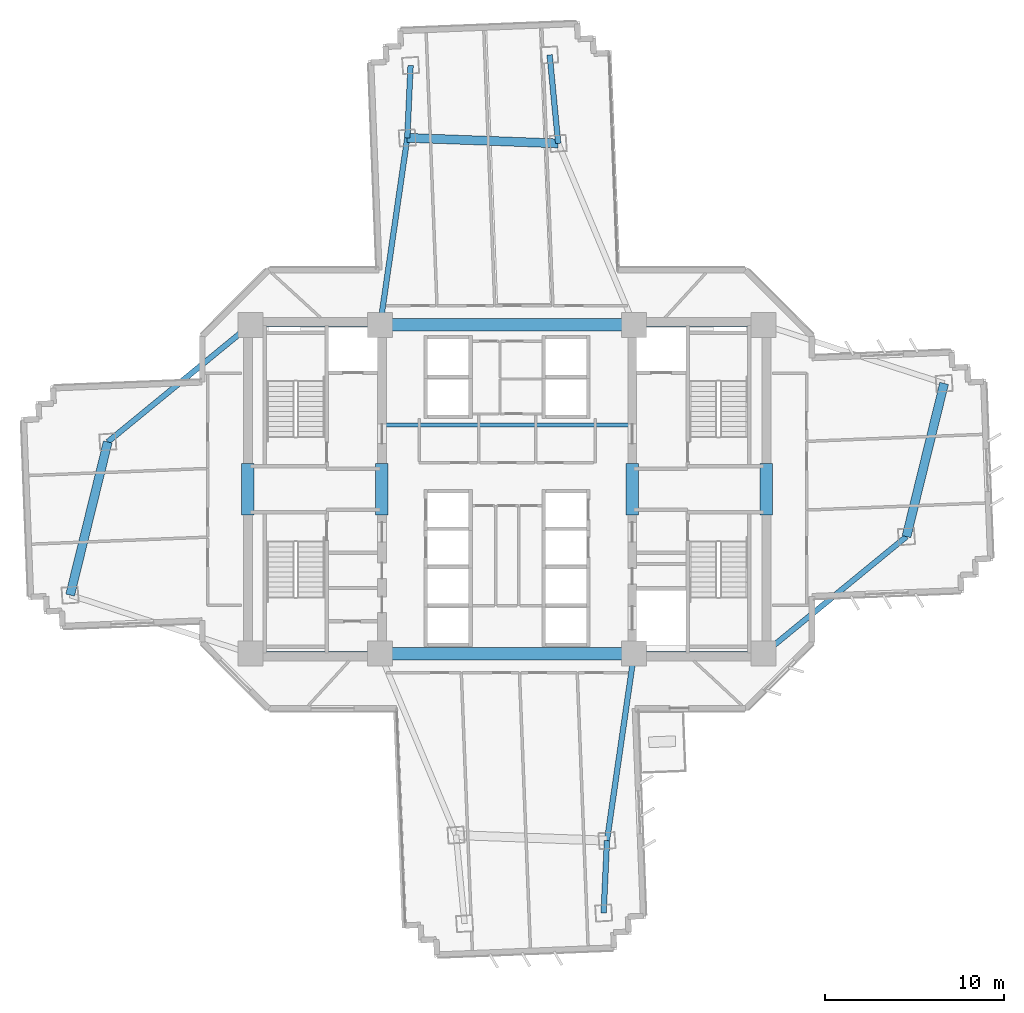
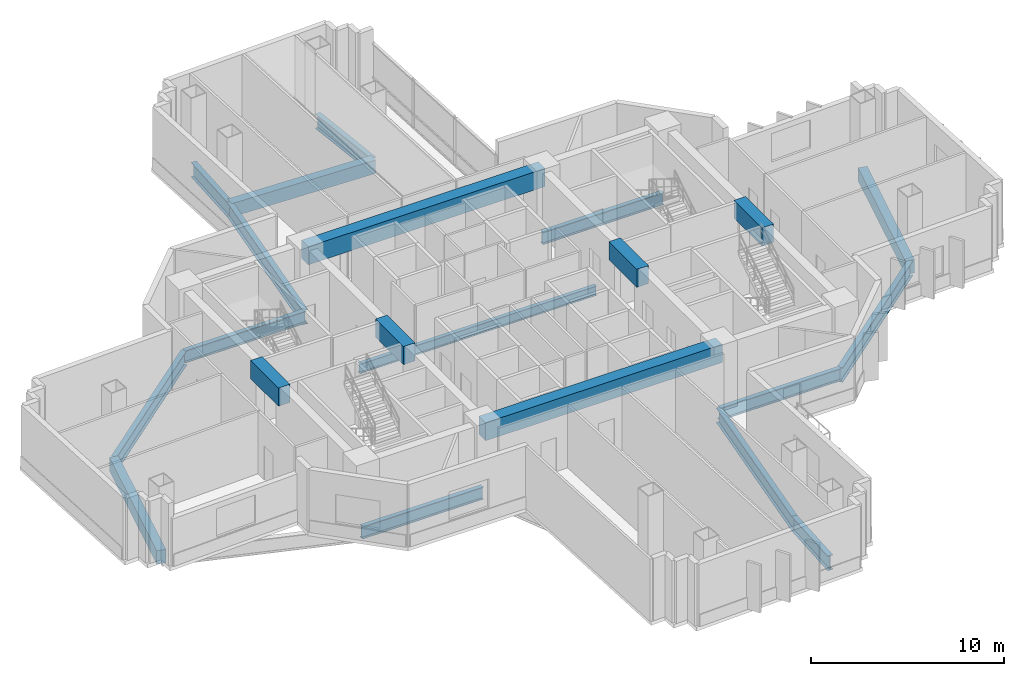
# One storey, part 3 of 16: 21 beams.
"""IFC4 building model written with IfcOpenShell, lengths in metres."""

from ifc_helpers import new_model, si_unit, direction, frame, origin, origin_2d, place, context, subcontext, project, spatial, rectangle, i_section, extrude, source, transform, mapped, material, material_profile, profile_set, type_object, element, save


model = new_model("IFC4")

# Units and contexts
model_context = context("Model", 3, precision=1e-05, world=origin(), true_north=direction((0.0, 1.0)))
body_context = subcontext(model_context, "Body", "Model", "MODEL_VIEW")
ifc_project = project(units=[si_unit("LENGTHUNIT", "METRE"), si_unit("AREAUNIT", "SQUARE_METRE"), si_unit("VOLUMEUNIT", "CUBIC_METRE"), si_unit("PLANEANGLEUNIT", "RADIAN"), si_unit("MASSUNIT", "GRAM", prefix="KILO")], contexts=[model_context])

# Site, building, storey
site_placement = place(None, origin())
site = spatial("IfcSite", under=ifc_project, at=site_placement, CompositionType="ELEMENT")
building_placement = place(site_placement, origin())
building = spatial("IfcBuilding", under=site, at=building_placement, Name="Zahravan Cultural Tower", CompositionType="ELEMENT")
storey_placement = place(building_placement, frame((0.0, 0.0, 58.5)))
storey = spatial("IfcBuildingStorey", under=building, at=storey_placement, Name="L12", CompositionType="ELEMENT", Elevation=58.5)

# Beams
ifc_material_1 = material(Name="Concrete C50/60", Category="concrete")
ifc_material_profile_1 = material_profile(ifc_material_1, rectangle(XDim=0.699951171875, YDim=1.14990234375, at=origin_2d()), Name="RC700X1150")
ifc_profile_set_1 = profile_set([ifc_material_profile_1], Name="Concrete C50/60")
beam_type_1 = type_object("IfcBeamType", Name="BM-LN-RC700X1150", PredefinedType="LINTEL", material=ifc_profile_set_1)
shared_shape_1 = source(origin(), body_context, "Body", "SweptSolid", [
    extrude(rectangle(XDim=0.699951171875, YDim=1.14990234375, at=origin_2d()), origin(), (0.0, 0.0, 1.0), 14.2001953125),
])
for number, where, z_axis, x_axis, name in (
    (1, (28.89990234375, 17.800048828125, 3.375), (1.0, 0.0, 0.0), (0.0, 1.0, 0.0), "L12 Beam LN-L12-S"),
    (2, (28.89990234375, 36.199951171875, 3.375), (1.0, 0.0, 0.0), (0.0, 1.0, 0.0), "L12 Beam LN-L12-N"),
):
    element("IfcBeam", number, at=place(storey_placement, frame(where, z_axis=z_axis, x_axis=x_axis)), inside=storey, type_object=beam_type_1, Name=name, PredefinedType="LINTEL", context=body_context, shape_type="MappedRepresentation", body=[
        mapped(shared_shape_1, transform((0.0, 0.0, 0.0), x_axis=(1.0, 0.0, 0.0), y_axis=(0.0, 1.0, 0.0), z_axis=(0.0, 0.0, 1.0), scale=1.0)),
    ])
shared_shape_2 = source(origin(), body_context, "Body", "SweptSolid", [
    extrude(rectangle(XDim=0.699951171875, YDim=1.14990234375, at=origin_2d()), origin(), (0.0, 0.0, 1.0), 2.89990234375),
])
for number, where, z_axis, x_axis, name in (
    (3, (21.5, 25.550048828125, 3.375), (0.0, 1.0, 0.0), (-1.0, 0.0, 0.0), "L12 Beam LN-L12-PWW"),
    (4, (29.0, 25.550048828125, 3.375), (0.0, 1.0, 0.0), (-1.0, 0.0, 0.0), "L12 Beam LN-L12-PWE"),
    (5, (43.0, 25.550048828125, 3.375), (0.0, 1.0, 0.0), (-1.0, 0.0, 0.0), "L12 Beam LN-L12-PEW"),
    (6, (50.5, 25.550048828125, 3.375), (0.0, 1.0, 0.0), (-1.0, 0.0, 0.0), "L12 Beam LN-L12-PEE"),
):
    element("IfcBeam", number, at=place(storey_placement, frame(where, z_axis=z_axis, x_axis=x_axis)), inside=storey, type_object=beam_type_1, Name=name, PredefinedType="LINTEL", context=body_context, shape_type="MappedRepresentation", body=[
        mapped(shared_shape_2, transform((0.0, 0.0, 0.0), x_axis=(1.0, 0.0, 0.0), y_axis=(0.0, 1.0, 0.0), z_axis=(0.0, 0.0, 1.0), scale=1.0)),
    ])
ifc_material_2 = material(Name="Steel ASTM A992 Grade 50", Category="steel")
ifc_material_profile_2 = material_profile(ifc_material_2, i_section(OverallWidth=0.26611328125, OverallDepth=0.780029296875, WebThickness=0.0166015625, FlangeThickness=0.030029296875, FilletRadius=0.01904296875, at=origin_2d()), Name="W30X148")
ifc_profile_set_2 = profile_set([ifc_material_profile_2], Name="Steel ASTM A992 Grade 50")
beam_type_2 = type_object("IfcBeamType", Name="BM-G-W30X148", PredefinedType="BEAM", material=ifc_profile_set_2)
shared_shape_3 = source(origin(), body_context, "Body", "SweptSolid", [
    extrude(i_section(OverallWidth=0.26611328125, OverallDepth=0.780029296875, WebThickness=0.0166015625, FlangeThickness=0.030029296875, FilletRadius=0.01904296875, at=origin_2d()), origin(), (0.0, 0.0, 1.0), 7.25),
])
for number, where, z_axis, x_axis, name in (
    (7, (21.64990234375, 17.800048828125, -0.639892578125), (1.0, 0.0, 0.0), (0.0, 1.0, 0.0), "L12 Beam BG-L12-01"),
    (8, (21.64990234375, 36.199951171875, -0.639892578125), (1.0, 0.0, 0.0), (0.0, 1.0, 0.0), "L12 Beam BG-L12-02"),
    (9, (43.10009765625, 17.800048828125, -0.639892578125), (1.0, 0.0, 0.0), (0.0, 1.0, 0.0), "L12 Beam BG-L12-04"),
    (10, (43.10009765625, 36.199951171875, -0.639892578125), (1.0, 0.0, 0.0), (0.0, 1.0, 0.0), "L12 Beam BG-L12-05"),
):
    element("IfcBeam", number, at=place(storey_placement, frame(where, z_axis=z_axis, x_axis=x_axis)), inside=storey, type_object=beam_type_2, Name=name, PredefinedType="BEAM", context=body_context, shape_type="MappedRepresentation", body=[
        mapped(shared_shape_3, transform((0.0, 0.0, 0.0), x_axis=(1.0, 0.0, 0.0), y_axis=(0.0, 1.0, 0.0), z_axis=(0.0, 0.0, 1.0), scale=1.0)),
    ])
ifc_material_profile_3 = material_profile(ifc_material_2, i_section(OverallWidth=0.30908203125, OverallDepth=0.931884765625, WebThickness=0.02099609375, FlangeThickness=0.034423828125, FilletRadius=0.02392578125, at=origin_2d()), Name="W36X210")
ifc_profile_set_3 = profile_set([ifc_material_profile_3], Name="Steel ASTM A992 Grade 50")
beam_type_3 = type_object("IfcBeamType", Name="BM-G-W36X210", PredefinedType="BEAM", material=ifc_profile_set_3)
shared_shape_4 = source(origin(), body_context, "Body", "SweptSolid", [
    extrude(i_section(OverallWidth=0.30908203125, OverallDepth=0.931884765625, WebThickness=0.02099609375, FlangeThickness=0.034423828125, FilletRadius=0.02392578125, at=origin_2d()), origin(), (0.0, 0.0, 1.0), 10.5673828125),
])
for number, where, z_axis, x_axis, name in (
    (11, (43.10009765625, 17.800048828125, -0.716064453125), (-0.143377913539, -0.989668011966, 0.0), (0.989668011966, -0.143377913539, 0.0), "L12 Beam BG-L12-09"),
    (12, (28.89990234375, 36.199951171875, -0.716064453125), (0.143377913539, 0.989668011966, 0.0), (-0.989668011966, 0.143377913539, 0.0), "L12 Beam BG-L12-13"),
):
    element("IfcBeam", number, at=place(storey_placement, frame(where, z_axis=z_axis, x_axis=x_axis)), inside=storey, type_object=beam_type_3, Name=name, PredefinedType="BEAM", context=body_context, shape_type="MappedRepresentation", body=[
        mapped(shared_shape_4, transform((0.0, 0.0, 0.0), x_axis=(1.0, 0.0, 0.0), y_axis=(0.0, 1.0, 0.0), z_axis=(0.0, 0.0, 1.0), scale=1.0)),
    ])
shared_shape_5 = source(origin(), body_context, "Body", "SweptSolid", [
    extrude(i_section(OverallWidth=0.30908203125, OverallDepth=0.931884765625, WebThickness=0.02099609375, FlangeThickness=0.034423828125, FilletRadius=0.02392578125, at=origin_2d()), origin(), (0.0, 0.0, 1.0), 10.33203125),
])
for number, where, z_axis, x_axis, name in (
    (13, (50.35009765625, 17.800048828125, -0.716064453125), (0.773231409473, 0.634123952713, 0.0), (-0.634123952713, 0.773231409473, 0.0), "L12 Beam BG-L12-10"),
    (14, (21.64990234375, 36.199951171875, -0.716064453125), (-0.773231409473, -0.634123952713, 0.0), (0.634123952713, -0.773231409473, 0.0), "L12 Beam BG-L12-14"),
):
    element("IfcBeam", number, at=place(storey_placement, frame(where, z_axis=z_axis, x_axis=x_axis)), inside=storey, type_object=beam_type_3, Name=name, PredefinedType="BEAM", context=body_context, shape_type="MappedRepresentation", body=[
        mapped(shared_shape_5, transform((0.0, 0.0, 0.0), x_axis=(1.0, 0.0, 0.0), y_axis=(0.0, 1.0, 0.0), z_axis=(0.0, 0.0, 1.0), scale=1.0)),
    ])
shared_shape_6 = source(origin(), body_context, "Body", "SweptSolid", [
    extrude(i_section(OverallWidth=0.30908203125, OverallDepth=0.931884765625, WebThickness=0.02099609375, FlangeThickness=0.034423828125, FilletRadius=0.02392578125, at=origin_2d()), origin(), (0.0, 0.0, 1.0), 4.973876953125),
])
beam_1_placement = place(storey_placement, frame((38.857421875, 46.346435546875, -0.716064453125), z_axis=(-0.096154779131, 0.995366394073, 0.0), x_axis=(-0.995366394073, -0.096154779131, 0.0)))
element("IfcBeam", 15, at=beam_1_placement, inside=storey, type_object=beam_type_3, Name="L12 Beam BG-L12-15", PredefinedType="BEAM", context=body_context, shape_type="MappedRepresentation", body=[
    mapped(shared_shape_6, transform((0.0, 0.0, 0.0), x_axis=(1.0, 0.0, 0.0), y_axis=(0.0, 1.0, 0.0), z_axis=(0.0, 0.0, 1.0), scale=1.0)),
])
shared_shape_7 = source(origin(), body_context, "Body", "SweptSolid", [
    extrude(i_section(OverallWidth=0.30908203125, OverallDepth=0.931884765625, WebThickness=0.02099609375, FlangeThickness=0.034423828125, FilletRadius=0.02392578125, at=origin_2d()), origin(), (0.0, 0.0, 1.0), 4.0537109375),
])
for number, where, z_axis, x_axis, name in (
    (16, (30.4150390625, 46.658203125, -0.716064453125), (0.045770994677, 0.998951958828, 0.0), (-0.998951958828, 0.045770994677, 0.0), "L12 Beam BG-L12-16"),
    (17, (41.5849609375, 7.341796875, -0.716064453125), (-0.045770994677, -0.998951958828, 0.0), (0.998951958828, -0.045770994677, 0.0), "L12 Beam BG-L12-18"),
):
    element("IfcBeam", number, at=place(storey_placement, frame(where, z_axis=z_axis, x_axis=x_axis)), inside=storey, type_object=beam_type_3, Name=name, PredefinedType="BEAM", context=body_context, shape_type="MappedRepresentation", body=[
        mapped(shared_shape_7, transform((0.0, 0.0, 0.0), x_axis=(1.0, 0.0, 0.0), y_axis=(0.0, 1.0, 0.0), z_axis=(0.0, 0.0, 1.0), scale=1.0)),
    ])
ifc_material_profile_4 = material_profile(ifc_material_1, rectangle(XDim=0.5, YDim=0.85009765625, at=origin_2d()), Name="RC500X850")
ifc_profile_set_4 = profile_set([ifc_material_profile_4], Name="Concrete C50/60")
beam_type_4 = type_object("IfcBeamType", Name="BM-SP-RC500X850", PredefinedType="SPANDREL", material=ifc_profile_set_4)
shared_shape_8 = source(origin(), body_context, "Body", "SweptSolid", [
    extrude(rectangle(XDim=0.5, YDim=0.85009765625, at=origin_2d()), origin(), (0.0, 0.0, 1.0), 8.4482421875),
])
beam_2_placement = place(storey_placement, frame((38.857421875, 46.346435546875, -0.675048828125), z_axis=(-0.999318826256, 0.036903705643, 0.0), x_axis=(-0.036903705643, -0.999318826256, 0.0)))
element("IfcBeam", 18, at=beam_2_placement, inside=storey, type_object=beam_type_4, Name="L12 Beam SP-L12-21", PredefinedType="SPANDREL", context=body_context, shape_type="MappedRepresentation", body=[
    mapped(shared_shape_8, transform((0.0, 0.0, 0.0), x_axis=(1.0, 0.0, 0.0), y_axis=(0.0, 1.0, 0.0), z_axis=(0.0, 0.0, 1.0), scale=1.0)),
])
shared_shape_9 = source(origin(), body_context, "Body", "SweptSolid", [
    extrude(rectangle(XDim=0.5, YDim=0.85009765625, at=origin_2d()), origin(), (0.0, 0.0, 1.0), 8.8232421875),
])
for number, where, z_axis, x_axis, name in (
    (19, (58.339111328125, 24.351806640625, -0.675048828125), (0.238848860516, 0.971056755206, 0.0), (-0.971056755206, 0.238848860516, 0.0), "L12 Beam SP-L12-20"),
    (20, (13.660888671875, 29.648193359375, -0.675048828125), (-0.238848860516, -0.971056755206, 0.0), (0.971056755206, -0.238848860516, 0.0), "L12 Beam SP-L12-22"),
):
    element("IfcBeam", number, at=place(storey_placement, frame(where, z_axis=z_axis, x_axis=x_axis)), inside=storey, type_object=beam_type_4, Name=name, PredefinedType="SPANDREL", context=body_context, shape_type="MappedRepresentation", body=[
        mapped(shared_shape_9, transform((0.0, 0.0, 0.0), x_axis=(1.0, 0.0, 0.0), y_axis=(0.0, 1.0, 0.0), z_axis=(0.0, 0.0, 1.0), scale=1.0)),
    ])
ifc_material_profile_5 = material_profile(ifc_material_2, i_section(OverallWidth=0.22802734375, OverallDepth=0.60302734375, WebThickness=0.010498046875, FlangeThickness=0.014892578125, FilletRadius=0.014892578125, at=origin_2d()), Name="W24X68")
ifc_profile_set_5 = profile_set([ifc_material_profile_5], Name="Steel ASTM A992 Grade 50")
beam_type_5 = type_object("IfcBeamType", Name="BM-J-W24X68", PredefinedType="JOIST", material=ifc_profile_set_5)
shared_shape_10 = source(origin(), body_context, "Body", "SweptSolid", [
    extrude(i_section(OverallWidth=0.22802734375, OverallDepth=0.60302734375, WebThickness=0.010498046875, FlangeThickness=0.014892578125, FilletRadius=0.014892578125, at=origin_2d()), origin(), (0.0, 0.0, 1.0), 14.2001953125),
])
beam_3_placement = place(storey_placement, frame((28.89990234375, 30.60009765625, -0.551513671875), z_axis=(1.0, 0.0, 0.0), x_axis=(0.0, 1.0, 0.0)))
element("IfcBeam", 21, at=beam_3_placement, inside=storey, type_object=beam_type_5, Name="L12 Beam BJ-L12-23", PredefinedType="JOIST", context=body_context, shape_type="MappedRepresentation", body=[
    mapped(shared_shape_10, transform((0.0, 0.0, 0.0), x_axis=(1.0, 0.0, 0.0), y_axis=(0.0, 1.0, 0.0), z_axis=(0.0, 0.0, 1.0), scale=1.0)),
])

save(model, "model.ifc")
